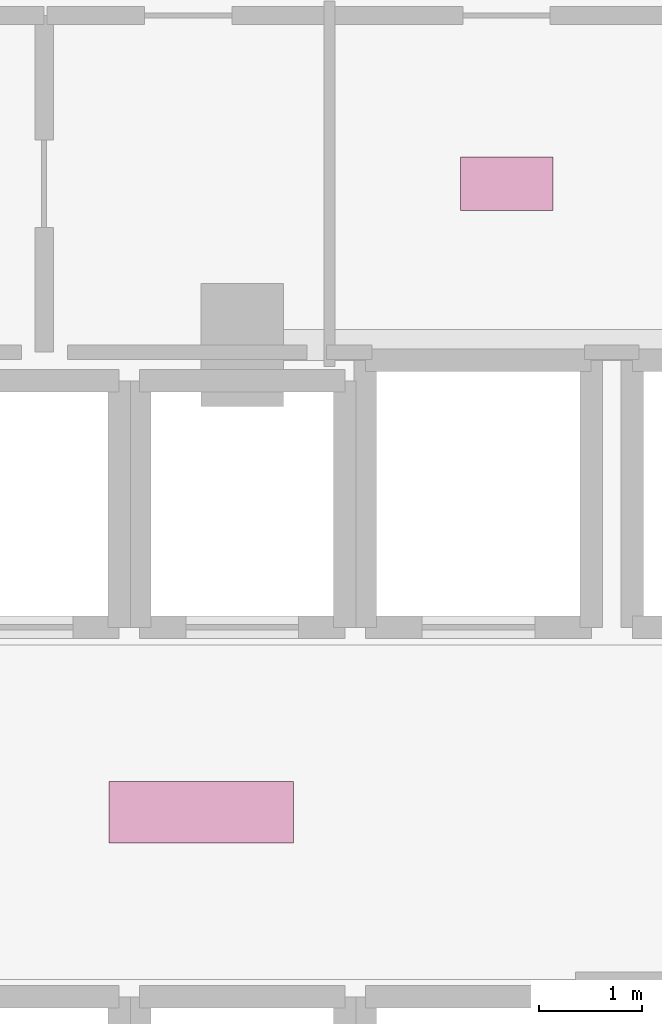
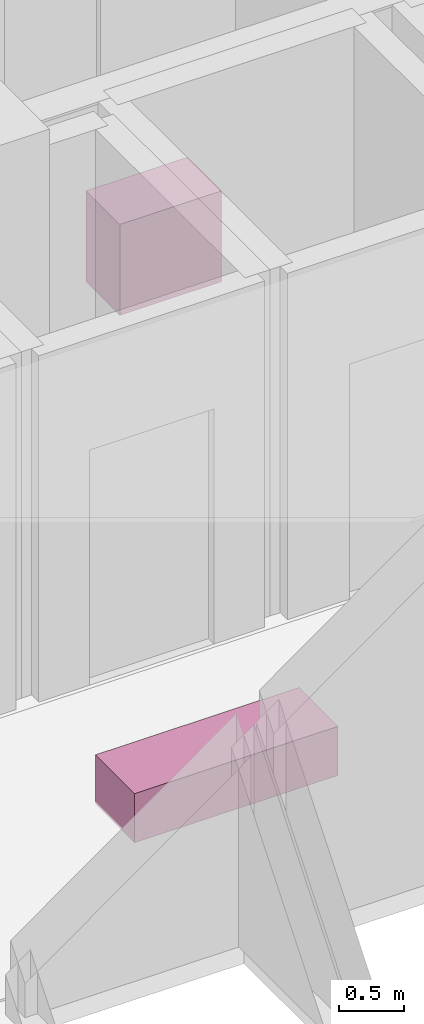
# One storey, part 30 of 30: 2 furnishings.
"""IFC4 building model written with IfcOpenShell, lengths in metres."""

import ifcopenshell
import ifcopenshell.guid

model = None  # the IFC model being written
_history = None  # IfcOwnerHistory: only IFC2X3 demands one
_inside = {}  # id of a spatial element -> (the spatial element, [elements in it])
_under = {}  # id of a project, library or spatial element -> (it, [spatial elements below it])
_declared = {}  # id of a project -> (the project, [libraries it declares])
_typed = {}  # id of a type object -> (the type object, [elements of that type])
_made_of = {}  # id of a material, layer set ... -> (it, [elements and type objects made of it])


def new_model(schema):
    """Start an empty IFC model of exactly this schema.

    Asked for "IFC4X3", IfcOpenShell would pick the latest addendum, in which some entities
    have other attributes; the version numbers below select the first issue.
    IFC2X3 requires an IfcOwnerHistory on every rooted entity: one is made here for all.
    """
    global model, _history
    if schema == "IFC4X3":
        model = ifcopenshell.file(schema_version=(4, 3, 0, 0))
    else:
        model = ifcopenshell.file(schema=schema)
    _inside.clear()
    _under.clear()
    _declared.clear()
    _typed.clear()
    _made_of.clear()
    _history = None
    if model.schema == "IFC2X3":
        org = make("IfcOrganization", Name="unknown")
        user = make(
            "IfcPersonAndOrganization",
            ThePerson=make("IfcPerson", FamilyName="unknown"),
            TheOrganization=org,
        )
        app = make(
            "IfcApplication",
            ApplicationDeveloper=org,
            Version="unknown",
            ApplicationFullName="unknown",
            ApplicationIdentifier="unknown",
        )
        _history = make(
            "IfcOwnerHistory",
            OwningUser=user,
            OwningApplication=app,
            ChangeAction="ADDED",
            CreationDate=0,
        )
    return model


def make(cls, **values):
    """One entity of the class cls with the attributes given. An attribute that is None is left unset."""
    return model.create_entity(
        cls, **{name: value for name, value in values.items() if value is not None}
    )


def rooted(cls, **values):
    """An entity with a GlobalId (a new one), such as an element, a storey or a relation."""
    return make(cls, GlobalId=ifcopenshell.guid.new(), OwnerHistory=_history, **values)


def si_unit(unit_type, name, prefix=None):
    """IfcSIUnit, for example si_unit("LENGTHUNIT", "METRE", prefix="MILLI")."""
    return make("IfcSIUnit", UnitType=unit_type, Prefix=prefix, Name=name)


def assignment(units):
    """IfcUnitAssignment: the units of a project."""
    return None if units is None else make("IfcUnitAssignment", Units=units)


def point(xyz):
    """IfcCartesianPoint."""
    return None if xyz is None else make("IfcCartesianPoint", Coordinates=xyz)


def direction(xyz):
    """IfcDirection."""
    return None if xyz is None else make("IfcDirection", DirectionRatios=xyz)


def frame(location, z_axis=None, x_axis=None):
    """IfcAxis2Placement3D, a coordinate frame: its origin and axes. An axis left out is left unset."""
    return make(
        "IfcAxis2Placement3D",
        Location=point(location),
        Axis=direction(z_axis),
        RefDirection=direction(x_axis),
    )


def frame_2d(location, x_axis=None):
    """IfcAxis2Placement2D, a coordinate frame in the plane: its origin and x axis."""
    return make(
        "IfcAxis2Placement2D", Location=point(location), RefDirection=direction(x_axis)
    )


def origin():
    """The frame at (0, 0, 0) with its axes left unset."""
    return frame((0.0, 0.0, 0.0))


def origin_2d():
    """The frame at (0, 0) in the plane with its x axis left unset."""
    return frame_2d((0.0, 0.0))


def place(relative_to, where):
    """IfcLocalPlacement: puts the frame where relative to a parent placement (None: the world)."""
    return make(
        "IfcLocalPlacement", PlacementRelTo=relative_to, RelativePlacement=where
    )


def context(
    kind, dimensions, precision=None, world=None, true_north=None, identifier=None
):
    """IfcGeometricRepresentationContext, for example the 3D "Model" context."""
    return make(
        "IfcGeometricRepresentationContext",
        ContextIdentifier=identifier,
        ContextType=kind,
        CoordinateSpaceDimension=dimensions,
        Precision=precision,
        WorldCoordinateSystem=world,
        TrueNorth=true_north,
    )


def subcontext(parent, identifier, kind, view, scale=None):
    """IfcGeometricRepresentationSubContext, for example "Body" below "Model"."""
    return make(
        "IfcGeometricRepresentationSubContext",
        ContextIdentifier=identifier,
        ContextType=kind,
        ParentContext=parent,
        TargetScale=scale,
        TargetView=view,
    )


def project(units=None, contexts=None):
    """IfcProject with its units and contexts."""
    return rooted(
        "IfcProject",
        Name="project",
        RepresentationContexts=contexts,
        UnitsInContext=assignment(units),
    )


def spatial(cls, under=None, at=None, **own):
    """A site, building, storey or space (cls), placed at a placement, below another one or the project."""
    s = rooted(cls, ObjectPlacement=at, **own)
    if under is not None:
        _under.setdefault(under.id(), (under, []))[1].append(s)
    return s


def profile(cls, at=None, kind="AREA", **sizes):
    """A parametric profile (cls). Its sizes go by their IFC names, for example OverallWidth=200.0."""
    return make(cls, ProfileType=kind, Position=at, **sizes)


def rectangle(**sizes):
    """IfcRectangleProfileDef."""
    return profile("IfcRectangleProfileDef", **sizes)


def extrude(swept, where, along, depth):
    """IfcExtrudedAreaSolid: the profile swept, set in the frame where, extruded along a direction by depth."""
    return make(
        "IfcExtrudedAreaSolid",
        SweptArea=swept,
        Position=where,
        ExtrudedDirection=direction(along),
        Depth=depth,
    )


def shape(context_of_items, identifier, shape_type, items):
    """IfcShapeRepresentation: the items that make up one representation, for example the "Body"."""
    return make(
        "IfcShapeRepresentation",
        ContextOfItems=context_of_items,
        RepresentationIdentifier=identifier,
        RepresentationType=shape_type,
        Items=items,
    )


def material(Name=None, Category=None):
    """IfcMaterial."""
    return make("IfcMaterial", Name=Name, Category=Category)


def made_of(thing, what):
    """Note that an element or type object is made of a material, layer set ...; save() writes the relation."""
    if what is not None:
        _made_of.setdefault(what.id(), (what, []))[1].append(thing)
    return thing


def type_object(cls, material=None, **own):
    """A type object (cls), such as IfcWallType, which elements share."""
    return made_of(rooted(cls, **own), material)


def element(
    cls,
    number,
    at=None,
    inside=None,
    cuts=None,
    type_object=None,
    material=None,
    context=None,
    identifier="Body",
    shape_type=None,
    held_by="IfcProductDefinitionShape",
    body=None,
    shapes=None,
    **own,
):
    """One element of the class cls, such as IfcWall. Its Tag is "e" and its number.

    at: its placement. inside: the storey or other place that contains it. cuts: it is an
    opening in that element (IfcRelVoidsElement). A single representation is given by context,
    identifier, shape_type and body (its items); several are given by shapes. held_by: the class
    of the entity that holds the representations. save() writes the other relations.
    """
    e = rooted(cls, Tag="e%d" % number, ObjectPlacement=at, **own)
    if body is not None:
        shapes = [shape(context, identifier, shape_type, body)]
    if shapes is not None:
        e.Representation = make(held_by, Representations=shapes)
    if inside is not None:
        _inside.setdefault(inside.id(), (inside, []))[1].append(e)
    if cuts is not None:
        rooted(
            "IfcRelVoidsElement", RelatingBuildingElement=cuts, RelatedOpeningElement=e
        )
    if type_object is not None:
        _typed.setdefault(type_object.id(), (type_object, []))[1].append(e)
    return made_of(e, material)


def aggregate(whole, parts):
    """IfcRelAggregates: a whole, such as a stair, and the parts it consists of."""
    return rooted("IfcRelAggregates", RelatingObject=whole, RelatedObjects=parts)


def save(model, path):
    """Write the relations noted so far, then the file.

    IfcRelAggregates (storeys below a building ...), IfcRelContainedInSpatialStructure (elements
    in a storey), IfcRelDefinesByType, IfcRelAssociatesMaterial and IfcRelDeclares: one each for
    every whole, place, type object, material and project.
    """
    for whole, parts in _under.values():
        aggregate(whole, parts)
    for where, things in _inside.values():
        rooted(
            "IfcRelContainedInSpatialStructure",
            RelatedElements=things,
            RelatingStructure=where,
        )
    for kind, things in _typed.values():
        rooted("IfcRelDefinesByType", RelatedObjects=things, RelatingType=kind)
    for what, things in _made_of.values():
        rooted("IfcRelAssociatesMaterial", RelatedObjects=things, RelatingMaterial=what)
    for by, libraries in _declared.values():
        rooted("IfcRelDeclares", RelatingContext=by, RelatedDefinitions=libraries)
    model.write(path)


model = new_model("IFC4")

# Units and contexts
model_context = context("Model", 3, precision=1e-05, world=origin(), true_north=direction((0.0, 1.0)))
body_context = subcontext(model_context, "Body", "Model", "MODEL_VIEW")
ifc_project = project(units=[si_unit("LENGTHUNIT", "METRE"), si_unit("AREAUNIT", "SQUARE_METRE"), si_unit("VOLUMEUNIT", "CUBIC_METRE"), si_unit("PLANEANGLEUNIT", "RADIAN"), si_unit("MASSUNIT", "GRAM", prefix="KILO")], contexts=[model_context])

# Site, building, storey
site_placement = place(None, origin())
site = spatial("IfcSite", under=ifc_project, at=site_placement, CompositionType="ELEMENT")
building_placement = place(site_placement, origin())
building = spatial("IfcBuilding", under=site, at=building_placement, Name="Vorneva Point Tower", CompositionType="ELEMENT")
storey_placement = place(building_placement, frame((0.0, 0.0, 106.800048828125)))
storey = spatial("IfcBuildingStorey", under=building, at=storey_placement, Name="L28", CompositionType="ELEMENT", Elevation=106.800048828125)

# Furnishings
ifc_material_1 = material(Name="Engineered oak fire-rated door leaf", Category="wood")
furniture_type_1 = type_object("IfcFurnitureType", Name="FUR-BNC-1800", AssemblyPlace="NOTDEFINED", PredefinedType="NOTDEFINED", material=ifc_material_1)
furnishing_1_placement = place(storey_placement, frame((35.0, 26.0, -0.005126953125), z_axis=(0.0, 0.0, 1.0), x_axis=(1.0, 0.0, 0.0)))
element("IfcFurnishingElement", 1, at=furnishing_1_placement, inside=storey, type_object=furniture_type_1, Name="L28 Lift Lobby Seating Bench", ObjectType="L28 Lift Lobby Seating Bench", context=body_context, shape_type="SweptSolid", body=[
    extrude(rectangle(XDim=1.800048828125, YDim=0.60009765625, at=origin_2d()), origin(), (0.0, 0.0, 1.0), 0.4599609375),
])
ifc_material_2 = material(Name="Vitreous china and granite top", Category="masonry")
furniture_type_2 = type_object("IfcFurnitureType", Name="FUR-VAN-900", AssemblyPlace="NOTDEFINED", PredefinedType="NOTDEFINED", material=ifc_material_2)
furnishing_2_placement = place(storey_placement, frame((37.97509765625, 32.1201171875, -0.005126953125), z_axis=(0.0, 0.0, 1.0), x_axis=(1.0, 0.0, 0.0)))
element("IfcFurnishingElement", 2, at=furnishing_2_placement, inside=storey, type_object=furniture_type_2, Name="L28 Accessible WC Vanity Unit", ObjectType="L28 Accessible WC Vanity Unit", context=body_context, shape_type="SweptSolid", body=[
    extrude(rectangle(XDim=0.89990234375, YDim=0.52001953125, at=origin_2d()), origin(), (0.0, 0.0, 1.0), 0.85009765625),
])

save(model, "model.ifc")
